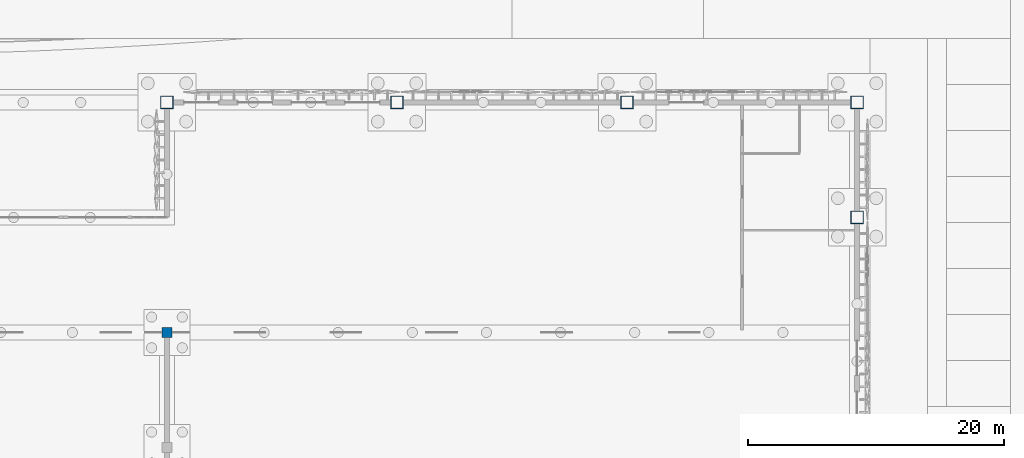
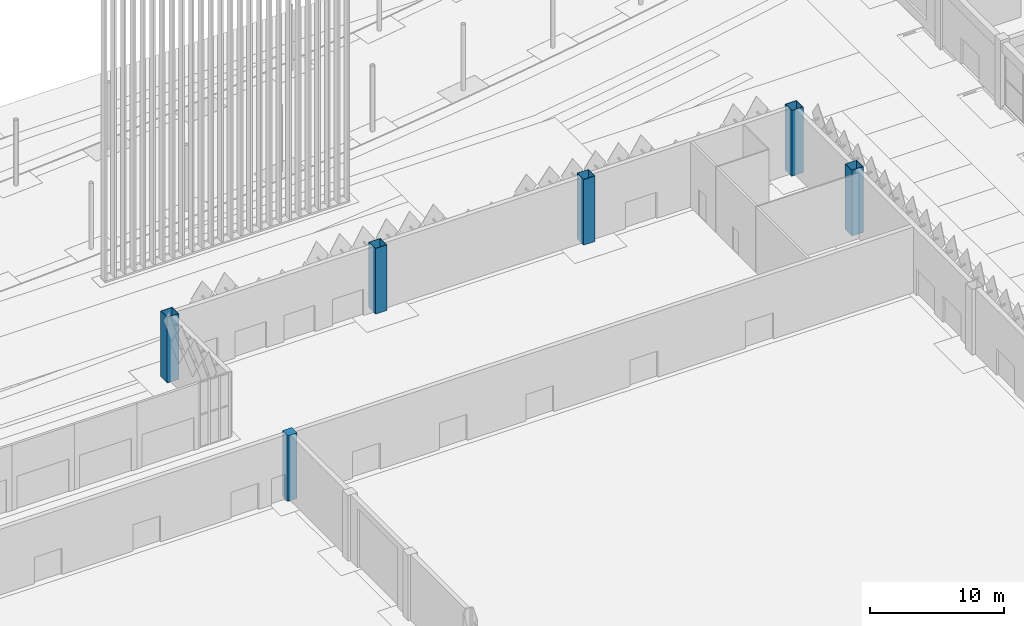
# One storey, part 29 of 198: 6 columns.
"""IFC4 building model written with IfcOpenShell, lengths in metres."""

from ifc_helpers import new_model, si_unit, direction, frame, origin, origin_2d, place, context, subcontext, project, spatial, rectangle, hollow_rectangle, extrude, material, material_profile, profile_set, type_object, element, save


model = new_model("IFC4")

# Units and contexts
model_context = context("Model", 3, precision=1e-05, world=origin(), true_north=direction((0.0, 1.0)))
body_context = subcontext(model_context, "Body", "Model", "MODEL_VIEW")
ifc_project = project(units=[si_unit("LENGTHUNIT", "METRE"), si_unit("AREAUNIT", "SQUARE_METRE"), si_unit("VOLUMEUNIT", "CUBIC_METRE"), si_unit("PLANEANGLEUNIT", "RADIAN"), si_unit("MASSUNIT", "GRAM", prefix="KILO")], contexts=[model_context])

# Site, building, storey
site_placement = place(None, origin())
site = spatial("IfcSite", under=ifc_project, at=site_placement, CompositionType="ELEMENT")
building_placement = place(site_placement, origin())
building = spatial("IfcBuilding", under=site, at=building_placement, Name="Opaline Strait Convention Centre", CompositionType="ELEMENT")
storey_placement = place(building_placement, origin())
storey = spatial("IfcBuildingStorey", under=building, at=storey_placement, Name="L00", CompositionType="ELEMENT", Elevation=0.0)

# Columns
ifc_material_1 = material(Name="Steel Q355B", Category="steel")
ifc_material_profile_1 = material_profile(ifc_material_1, hollow_rectangle(XDim=1.0, YDim=1.0, WallThickness=0.031982421875, at=origin_2d()), Name="BOX 1000x1000x32")
ifc_profile_set_1 = profile_set([ifc_material_profile_1], Name="Steel Q355B")
column_type_1 = type_object("IfcColumnType", Name="CFT column BOX 1000x1000x32 C60 fill", PredefinedType="COLUMN", material=ifc_profile_set_1)
for number, where, z_axis, x_axis, name in (
    (1, (207.0, 153.0, 0.0), (0.0, 0.0, 1.0), (1.0, 0.0, 0.0), "Roof column XC-19"),
    (2, (225.0, 153.0, 0.0), (0.0, 0.0, 1.0), (1.0, 0.0, 0.0), "Roof column XC-21"),
    (3, (243.0, 153.0, 0.0), (0.0, 0.0, 1.0), (1.0, 0.0, 0.0), "Roof column XC-23"),
    (4, (261.0, 144.0, 0.0), (0.0, 0.0, 1.0), (1.0, 0.0, 0.0), "Roof column XC-29"),
    (5, (261.0, 153.0, 0.0), (0.0, 0.0, 1.0), (1.0, 0.0, 0.0), "Roof column XC-30"),
):
    element("IfcColumn", number, at=place(storey_placement, frame(where, z_axis=z_axis, x_axis=x_axis)), inside=storey, type_object=column_type_1, Name=name, ObjectType="XC1", PredefinedType="COLUMN", context=body_context, shape_type="SweptSolid", body=[
        extrude(hollow_rectangle(XDim=1.0, YDim=1.0, WallThickness=0.031982421875, at=origin_2d()), origin(), (0.0, 0.0, 1.0), 6.0),
    ])
ifc_material_2 = material(Name="Concrete C40", Category="concrete")
ifc_material_profile_2 = material_profile(ifc_material_2, rectangle(XDim=0.800048828125, YDim=0.800048828125, at=origin_2d()), Name="RC 800x800")
ifc_profile_set_2 = profile_set([ifc_material_profile_2], Name="Concrete C40")
column_type_2 = type_object("IfcColumnType", Name="RC column 800x800 C40", PredefinedType="COLUMN", material=ifc_profile_set_2)
column_placement = place(storey_placement, frame((207.0, 135.0, 0.0), z_axis=(0.0, 0.0, 1.0), x_axis=(1.0, 0.0, 0.0)))
element("IfcColumn", 6, at=column_placement, inside=storey, type_object=column_type_2, Name="Fire wall pilaster", ObjectType="XC2", PredefinedType="COLUMN", context=body_context, shape_type="SweptSolid", body=[
    extrude(rectangle(XDim=0.800048828125, YDim=0.800048828125, at=origin_2d()), origin(), (0.0, 0.0, 1.0), 6.0),
])

save(model, "model.ifc")
